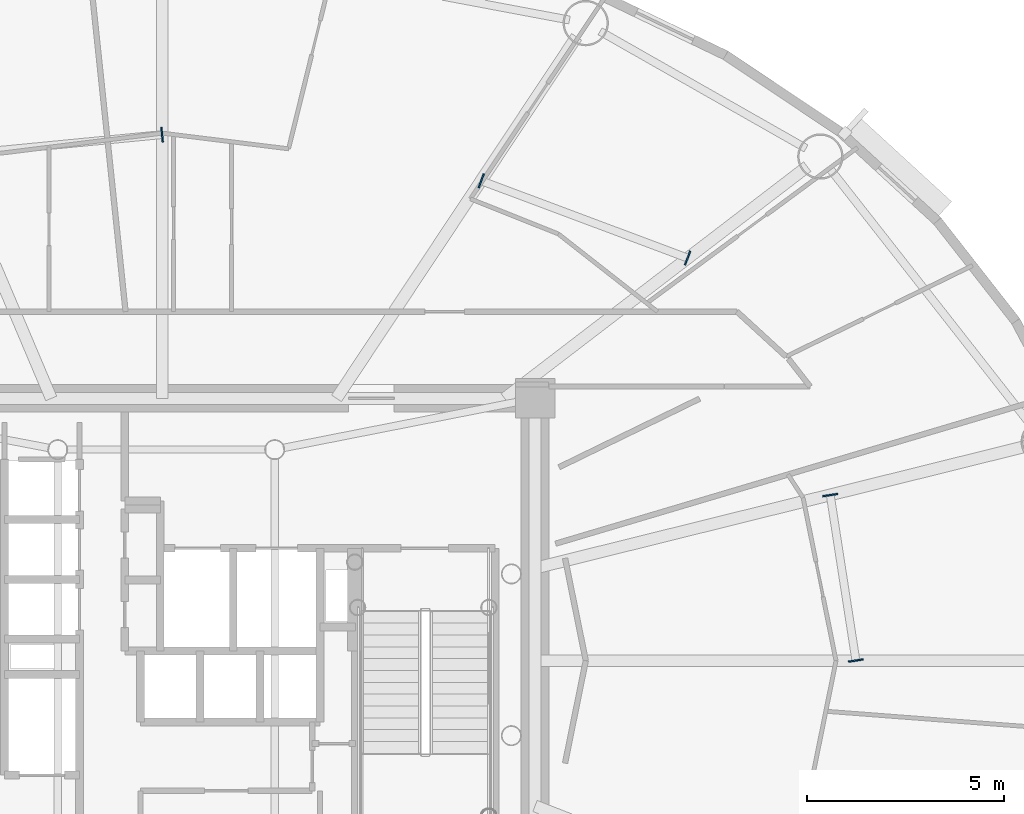
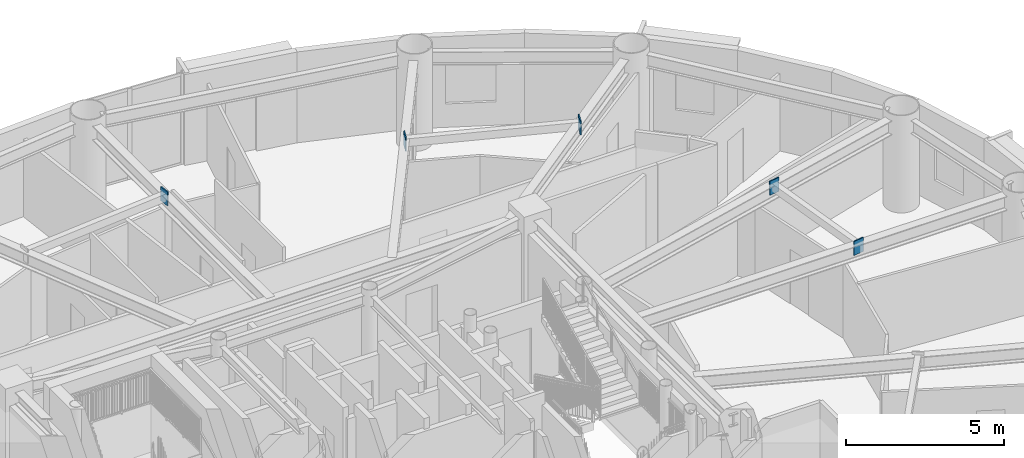
# One storey, part 7 of 20: 5 plates.
"""IFC4 building model written with IfcOpenShell, lengths in metres."""

from ifc_helpers import new_model, si_unit, direction, frame, origin, origin_2d, place, context, subcontext, project, spatial, rectangle, extrude, source, transform, mapped, material, layer, layer_set, type_object, element, save


model = new_model("IFC4")

# Units and contexts
model_context = context("Model", 3, precision=1e-05, world=origin(), true_north=direction((0.0, 1.0)))
body_context = subcontext(model_context, "Body", "Model", "MODEL_VIEW")
ifc_project = project(units=[si_unit("LENGTHUNIT", "METRE"), si_unit("AREAUNIT", "SQUARE_METRE"), si_unit("VOLUMEUNIT", "CUBIC_METRE"), si_unit("PLANEANGLEUNIT", "RADIAN"), si_unit("MASSUNIT", "GRAM", prefix="KILO")], contexts=[model_context])

# Site, building, storey
site_placement = place(None, origin())
site = spatial("IfcSite", under=ifc_project, at=site_placement, CompositionType="ELEMENT")
building_placement = place(site_placement, origin())
building = spatial("IfcBuilding", under=site, at=building_placement, Name="Linh Dai School and Residence Tower", CompositionType="ELEMENT")
storey_placement = place(building_placement, frame((0.0, 0.0, 232.800048828125)))
storey = spatial("IfcBuildingStorey", under=building, at=storey_placement, Name="L57", CompositionType="ELEMENT", Elevation=232.800048828125)

# Plates
ifc_material = material(Name="Structural Steel S355JR", Category="steel")
ifc_layer = layer(ifc_material, 0.0400390625)
ifc_layer_set = layer_set([ifc_layer], Name="Structural Steel S355JR")
plate_type = type_object("IfcPlateType", Name="PLT-GP1", PredefinedType="USERDEFINED", material=ifc_layer_set)
shared_shape = source(origin(), body_context, "Body", "SweptSolid", [
    extrude(rectangle(XDim=0.0400390625, YDim=0.3798828125, at=origin_2d()), origin(), (0.0, 0.0, 1.0), 0.5400390625),
])
for number, where, z_axis, x_axis, name in (
    (1, (53.583740234375, 27.0048828125, 3.079833984375), (0.0, 0.0, 1.0), (-0.153185627242, 0.988197431492, 0.0), "L57 Secondary Beam End Plate 01A"),
    (2, (52.93359375, 31.198974609375, 3.079833984375), (0.0, 0.0, 1.0), (-0.153185627242, 0.988197431492, 0.0), "L57 Secondary Beam End Plate 01B"),
    (3, (49.3173828125, 37.207763671875, 3.079833984375), (0.0, 0.0, 1.0), (-0.936533727109, 0.35057749213, 0.0), "L57 Secondary Beam End Plate 02A"),
    (4, (44.085693359375, 39.166015625, 3.079833984375), (0.0, 0.0, 1.0), (-0.936533727109, 0.35057749213, 0.0), "L57 Secondary Beam End Plate 02B"),
    (5, (35.9951171875, 40.3369140625, 3.079833984375), (0.0, 0.0, 1.0), (-0.995333315624, -0.096496584447, 0.0), "L57 Secondary Beam End Plate 03A"),
):
    element("IfcPlate", number, at=place(storey_placement, frame(where, z_axis=z_axis, x_axis=x_axis)), inside=storey, type_object=plate_type, Name=name, ObjectType="GUSSET PLATE", PredefinedType="USERDEFINED", context=body_context, shape_type="MappedRepresentation", body=[
        mapped(shared_shape, transform((0.0, 0.0, 0.0), x_axis=(1.0, 0.0, 0.0), y_axis=(0.0, 1.0, 0.0), z_axis=(0.0, 0.0, 1.0), scale=1.0)),
    ])

save(model, "model.ifc")
